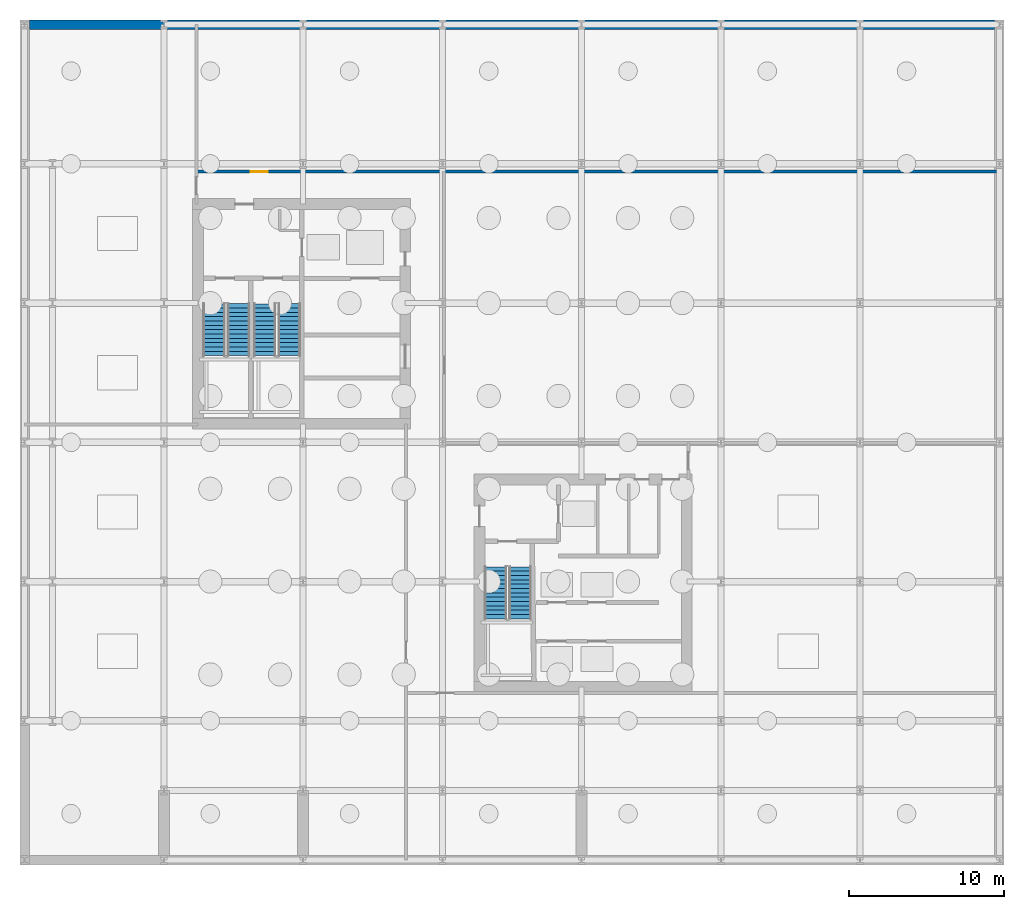
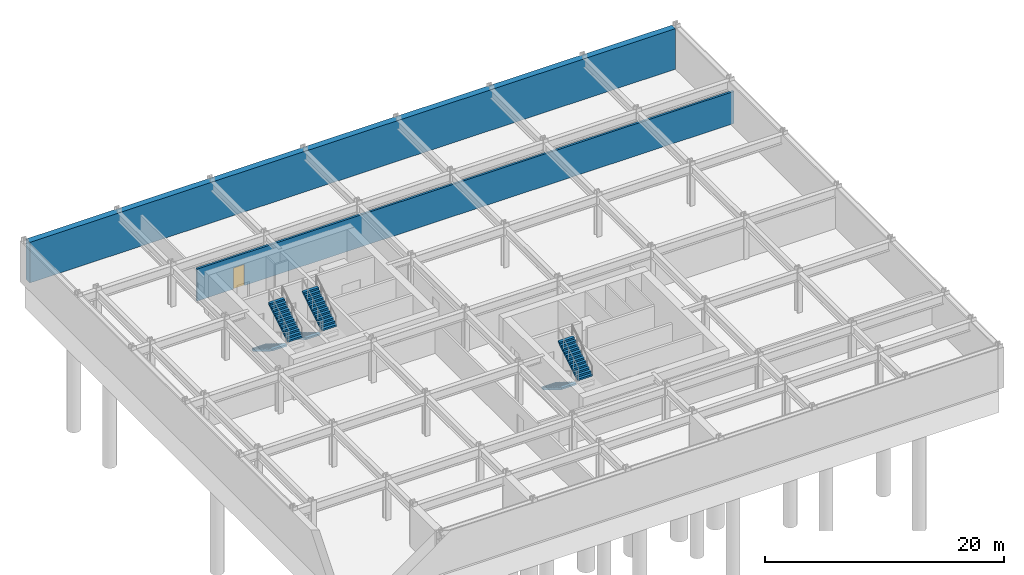
# One storey, part 5 of 7: 6 stair flights, 2 walls, 1 door, 1 opening, 3 elements without a shape of their own.
"""IFC4 building model written with IfcOpenShell, lengths in metres."""

from ifc_helpers import new_model, si_unit, direction, frame, frame_2d, origin, place, context, subcontext, project, spatial, polyline, rectangle, outline, extrude, material, layer, layer_set, type_object, element, fill, aggregate, save


model = new_model("IFC4")

# Units and contexts
model_context = context("Model", 3, precision=1e-05, world=origin(), true_north=direction((0.0, 1.0)))
body_context = subcontext(model_context, "Body", "Model", "MODEL_VIEW")
ifc_project = project(units=[si_unit("LENGTHUNIT", "METRE"), si_unit("AREAUNIT", "SQUARE_METRE"), si_unit("VOLUMEUNIT", "CUBIC_METRE"), si_unit("PLANEANGLEUNIT", "RADIAN"), si_unit("MASSUNIT", "GRAM", prefix="KILO")], contexts=[model_context])

# Site, building, storey
site_placement = place(None, origin())
site = spatial("IfcSite", under=ifc_project, at=site_placement, CompositionType="ELEMENT")
building_placement = place(site_placement, origin())
building = spatial("IfcBuilding", under=site, at=building_placement, Name="Solvaryn Broadcast Tower", CompositionType="ELEMENT")
storey_placement = place(building_placement, frame((0.0, 0.0, -9.0)))
storey = spatial("IfcBuildingStorey", under=building, at=storey_placement, Name="B02", CompositionType="ELEMENT", Elevation=-9.0)

# Wall
ifc_material_1 = material(Name="Concrete f'c 60 MPa", Category="concrete")
ifc_layer_1 = layer(ifc_material_1, 0.60009765625)
ifc_layer_set_1 = layer_set([ifc_layer_1], Name="EW-BSMT-600")
wall_type_1 = type_object("IfcWallType", Name="EW-BSMT-600", PredefinedType="SOLIDWALL", material=ifc_layer_set_1)
wall_1_placement = place(storey_placement, frame((0.300048828125, 54.0, 0.0), z_axis=(0.0, 0.0, 1.0), x_axis=(1.0, 0.0, 0.0)))
element("IfcWall", 1, at=wall_1_placement, inside=storey, type_object=wall_type_1, Name="B02 Perimeter Retaining Wall N", PredefinedType="SOLIDWALL", context=body_context, shape_type="SweptSolid", body=[
    extrude(rectangle(XDim=62.39990234375, YDim=0.60009765625, at=frame_2d((31.199951171875, 0.0))), origin(), (0.0, 0.0, 1.0), 4.14990234375),
])

# Wall, opening, door
ifc_material_2 = material(Name="Gypsum Fire-Rated Shaftwall Assembly", Category="concrete")
ifc_layer_2 = layer(ifc_material_2, 0.199951171875)
ifc_layer_set_2 = layer_set([ifc_layer_2], Name="IW-RATED-200")
wall_type_2 = type_object("IfcWallType", Name="IW-RATED-200", PredefinedType="PARTITIONING", material=ifc_layer_set_2)
wall_2_placement = place(storey_placement, frame((11.10009765625, 44.5, 0.0), z_axis=(0.0, 0.0, 1.0), x_axis=(1.0, 0.0, 0.0)))
wall_2 = element("IfcWall", 2, at=wall_2_placement, inside=storey, type_object=wall_type_2, Name="B02 Interior Partition IW-B02-BW4", PredefinedType="PARTITIONING", context=body_context, shape_type="SweptSolid", body=[
    extrude(rectangle(XDim=51.89990234375, YDim=0.199951171875, at=frame_2d((25.949951171875, 0.0))), origin(), (0.0, 0.0, 1.0), 3.27490234375),
])
opening_placement = place(wall_2_placement, frame((3.5, 0.0, 0.0)))
opening = element("IfcOpeningElement", 3, at=opening_placement, cuts=wall_2, Name="Opening FD90C", PredefinedType="OPENING", context=body_context, shape_type="SweptSolid", body=[
    extrude(rectangle(XDim=1.10009765625, YDim=2.14990234375, at=frame_2d((0.550048828125, 1.074951171875))), frame((0.0, 0.110107421875, 0.0), z_axis=(0.0, -1.0, 0.0), x_axis=(1.0, 0.0, 0.0)), (0.0, 0.0, 1.0), 0.219970703125),
])
ifc_material_3 = material(Name="Flush Acoustic Steel and Timber Door Assembly", Category="steel")
door_type = type_object("IfcDoorType", Name="FD90-PLANT-1100X2150", OperationType="NOTDEFINED", PredefinedType="DOOR", material=ifc_material_3)
door_placement = place(opening_placement, origin())
door = element("IfcDoor", 4, at=door_placement, inside=storey, type_object=door_type, Name="B02 Door DR-B02-BD5", OperationType="SINGLE_SWING_RIGHT", OverallHeight=2.14990234375, OverallWidth=1.10009765625, PredefinedType="DOOR", context=body_context, shape_type="SweptSolid", body=[
    extrude(rectangle(XDim=1.10009765625, YDim=2.14990234375, at=frame_2d((0.550048828125, 1.074951171875))), frame((0.0, 0.02490234375, 0.0), z_axis=(0.0, -1.0, 0.0), x_axis=(1.0, 0.0, 0.0)), (0.0, 0.0, 1.0), 0.050048828125),
])
fill(opening, door)

# Stair, stair flights
ifc_material_4 = material(Name="Concrete f'c 60 MPa", Category="concrete")
stair_type = type_object("IfcStairType", Name="ST-CORE", PredefinedType="HALF_TURN_STAIR", material=ifc_material_4)
stair_1_placement = place(storey_placement, origin())
stair_1 = element("IfcStair", 5, at=stair_1_placement, inside=storey, type_object=stair_type, Name="B02 ST1", PredefinedType="HALF_TURN_STAIR")
ifc_material_5 = material(Name="Concrete f'c 60 MPa", Category="concrete")
ifc_layer_3 = layer(ifc_material_5, 0.159912109375)
ifc_layer_set_3 = layer_set([ifc_layer_3], Name="SF-CORE")
stair_flight_type = type_object("IfcStairFlightType", Name="SF-CORE", PredefinedType="STRAIGHT", material=ifc_layer_set_3)
stair_flight_1_placement = place(storey_placement, frame((12.239990234375, 35.9599609375, 0.0), z_axis=(0.0, 0.0, 1.0), x_axis=(0.0, -1.0, 0.0)))
stair_flight_1 = element("IfcStairFlight", 6, at=stair_flight_1_placement, type_object=stair_flight_type, Name="ST1 flight 1", NumberOfRisers=13, NumberOfTreads=12, PredefinedType="STRAIGHT", RiserHeight=0.173076923, TreadLength=0.28, context=body_context, shape_type="SweptSolid", body=[
    extrude(outline(polyline([(0.0, 0.0), (0.0, 0.173095703125), (0.280029296875, 0.173095703125), (0.280029296875, 0.34619140625), (0.56005859375, 0.34619140625), (0.56005859375, 0.519287109375), (0.840087890625, 0.519287109375), (0.840087890625, 0.6923828125), (1.1201171875, 0.6923828125), (1.1201171875, 0.865478515625), (1.39990234375, 0.865478515625), (1.39990234375, 1.03857421875), (1.679931640625, 1.03857421875), (1.679931640625, 1.21142578125), (1.9599609375, 1.21142578125), (1.9599609375, 1.384521484375), (2.239990234375, 1.384521484375), (2.239990234375, 1.5576171875), (2.52001953125, 1.5576171875), (2.52001953125, 1.730712890625), (2.800048828125, 1.730712890625), (2.800048828125, 1.90380859375), (3.080078125, 1.90380859375), (3.080078125, 2.076904296875), (3.360107421875, 2.076904296875), (3.360107421875, 2.25), (3.360107421875, 1.900634765625), (0.28515625, 0.0), (0.0, 0.0)])), frame((0.0, 0.719970703125, 0.0), z_axis=(0.0, -1.0, 0.0), x_axis=(1.0, 0.0, 0.0)), (0.0, 0.0, 1.0), 1.43994140625),
])
stair_flight_2_placement = place(storey_placement, frame((13.830078125, 32.60009765625, 2.25), z_axis=(0.0, 0.0, 1.0), x_axis=(0.0, 1.0, 0.0)))
stair_flight_2 = element("IfcStairFlight", 7, at=stair_flight_2_placement, type_object=stair_flight_type, Name="ST1 flight 2", NumberOfRisers=13, NumberOfTreads=12, PredefinedType="STRAIGHT", RiserHeight=0.173076923, TreadLength=0.28, context=body_context, shape_type="SweptSolid", body=[
    extrude(outline(polyline([(0.0, 0.0), (0.0, 0.173095703125), (0.280029296875, 0.173095703125), (0.280029296875, 0.34619140625), (0.56005859375, 0.34619140625), (0.56005859375, 0.519287109375), (0.840087890625, 0.519287109375), (0.840087890625, 0.6923828125), (1.1201171875, 0.6923828125), (1.1201171875, 0.865478515625), (1.39990234375, 0.865478515625), (1.39990234375, 1.03857421875), (1.679931640625, 1.03857421875), (1.679931640625, 1.21142578125), (1.9599609375, 1.21142578125), (1.9599609375, 1.384521484375), (2.239990234375, 1.384521484375), (2.239990234375, 1.5576171875), (2.52001953125, 1.5576171875), (2.52001953125, 1.730712890625), (2.800048828125, 1.730712890625), (2.800048828125, 1.90380859375), (3.080078125, 1.90380859375), (3.080078125, 2.076904296875), (3.360107421875, 2.076904296875), (3.360107421875, 2.25), (3.360107421875, 1.900634765625), (0.28515625, 0.0), (0.0, 0.0)])), frame((0.0, 0.719970703125, 0.0), z_axis=(0.0, -1.0, 0.0), x_axis=(1.0, 0.0, 0.0)), (0.0, 0.0, 1.0), 1.43994140625),
])
aggregate(stair_1, [stair_flight_1, stair_flight_2])

stair_2_placement = place(storey_placement, origin())
stair_2 = element("IfcStair", 8, at=stair_2_placement, inside=storey, type_object=stair_type, Name="B02 ST2", PredefinedType="HALF_TURN_STAIR")
stair_flight_3_placement = place(storey_placement, frame((15.52001953125, 35.9599609375, 0.0), z_axis=(0.0, 0.0, 1.0), x_axis=(0.0, -1.0, 0.0)))
stair_flight_3 = element("IfcStairFlight", 9, at=stair_flight_3_placement, type_object=stair_flight_type, Name="ST2 flight 1", NumberOfRisers=13, NumberOfTreads=12, PredefinedType="STRAIGHT", RiserHeight=0.173076923, TreadLength=0.28, context=body_context, shape_type="SweptSolid", body=[
    extrude(outline(polyline([(0.0, 0.0), (0.0, 0.173095703125), (0.280029296875, 0.173095703125), (0.280029296875, 0.34619140625), (0.56005859375, 0.34619140625), (0.56005859375, 0.519287109375), (0.840087890625, 0.519287109375), (0.840087890625, 0.6923828125), (1.1201171875, 0.6923828125), (1.1201171875, 0.865478515625), (1.39990234375, 0.865478515625), (1.39990234375, 1.03857421875), (1.679931640625, 1.03857421875), (1.679931640625, 1.21142578125), (1.9599609375, 1.21142578125), (1.9599609375, 1.384521484375), (2.239990234375, 1.384521484375), (2.239990234375, 1.5576171875), (2.52001953125, 1.5576171875), (2.52001953125, 1.730712890625), (2.800048828125, 1.730712890625), (2.800048828125, 1.90380859375), (3.080078125, 1.90380859375), (3.080078125, 2.076904296875), (3.360107421875, 2.076904296875), (3.360107421875, 2.25), (3.360107421875, 1.900634765625), (0.28515625, 0.0), (0.0, 0.0)])), frame((0.0, 0.719970703125, 0.0), z_axis=(0.0, -1.0, 0.0), x_axis=(1.0, 0.0, 0.0)), (0.0, 0.0, 1.0), 1.43994140625),
])
stair_flight_4_placement = place(storey_placement, frame((17.110107421875, 32.60009765625, 2.25), z_axis=(0.0, 0.0, 1.0), x_axis=(0.0, 1.0, 0.0)))
stair_flight_4 = element("IfcStairFlight", 10, at=stair_flight_4_placement, type_object=stair_flight_type, Name="ST2 flight 2", NumberOfRisers=13, NumberOfTreads=12, PredefinedType="STRAIGHT", RiserHeight=0.173076923, TreadLength=0.28, context=body_context, shape_type="SweptSolid", body=[
    extrude(outline(polyline([(0.0, 0.0), (0.0, 0.173095703125), (0.280029296875, 0.173095703125), (0.280029296875, 0.34619140625), (0.56005859375, 0.34619140625), (0.56005859375, 0.519287109375), (0.840087890625, 0.519287109375), (0.840087890625, 0.6923828125), (1.1201171875, 0.6923828125), (1.1201171875, 0.865478515625), (1.39990234375, 0.865478515625), (1.39990234375, 1.03857421875), (1.679931640625, 1.03857421875), (1.679931640625, 1.21142578125), (1.9599609375, 1.21142578125), (1.9599609375, 1.384521484375), (2.239990234375, 1.384521484375), (2.239990234375, 1.5576171875), (2.52001953125, 1.5576171875), (2.52001953125, 1.730712890625), (2.800048828125, 1.730712890625), (2.800048828125, 1.90380859375), (3.080078125, 1.90380859375), (3.080078125, 2.076904296875), (3.360107421875, 2.076904296875), (3.360107421875, 2.25), (3.360107421875, 1.900634765625), (0.28515625, 0.0), (0.0, 0.0)])), frame((0.0, 0.719970703125, 0.0), z_axis=(0.0, -1.0, 0.0), x_axis=(1.0, 0.0, 0.0)), (0.0, 0.0, 1.0), 1.43994140625),
])
aggregate(stair_2, [stair_flight_3, stair_flight_4])

stair_3_placement = place(storey_placement, origin())
stair_3 = element("IfcStair", 11, at=stair_3_placement, inside=storey, type_object=stair_type, Name="B02 ST3", PredefinedType="HALF_TURN_STAIR")
stair_flight_5_placement = place(storey_placement, frame((30.43994140625, 18.9599609375, 0.0), z_axis=(0.0, 0.0, 1.0), x_axis=(0.0, -1.0, 0.0)))
stair_flight_5 = element("IfcStairFlight", 12, at=stair_flight_5_placement, type_object=stair_flight_type, Name="ST3 flight 1", NumberOfRisers=13, NumberOfTreads=12, PredefinedType="STRAIGHT", RiserHeight=0.173076923, TreadLength=0.28, context=body_context, shape_type="SweptSolid", body=[
    extrude(outline(polyline([(0.0, 0.0), (0.0, 0.173095703125), (0.280029296875, 0.173095703125), (0.280029296875, 0.34619140625), (0.56005859375, 0.34619140625), (0.56005859375, 0.519287109375), (0.840087890625, 0.519287109375), (0.840087890625, 0.6923828125), (1.1201171875, 0.6923828125), (1.1201171875, 0.865478515625), (1.39990234375, 0.865478515625), (1.39990234375, 1.03857421875), (1.679931640625, 1.03857421875), (1.679931640625, 1.21142578125), (1.9599609375, 1.21142578125), (1.9599609375, 1.384521484375), (2.239990234375, 1.384521484375), (2.239990234375, 1.5576171875), (2.52001953125, 1.5576171875), (2.52001953125, 1.730712890625), (2.800048828125, 1.730712890625), (2.800048828125, 1.90380859375), (3.080078125, 1.90380859375), (3.080078125, 2.076904296875), (3.360107421875, 2.076904296875), (3.360107421875, 2.25), (3.360107421875, 1.900634765625), (0.28515625, 0.0), (0.0, 0.0)])), frame((0.0, 0.719970703125, 0.0), z_axis=(0.0, -1.0, 0.0), x_axis=(1.0, 0.0, 0.0)), (0.0, 0.0, 1.0), 1.43994140625),
])
stair_flight_6_placement = place(storey_placement, frame((32.030029296875, 15.60009765625, 2.25), z_axis=(0.0, 0.0, 1.0), x_axis=(0.0, 1.0, 0.0)))
stair_flight_6 = element("IfcStairFlight", 13, at=stair_flight_6_placement, type_object=stair_flight_type, Name="ST3 flight 2", NumberOfRisers=13, NumberOfTreads=12, PredefinedType="STRAIGHT", RiserHeight=0.173076923, TreadLength=0.28, context=body_context, shape_type="SweptSolid", body=[
    extrude(outline(polyline([(0.0, 0.0), (0.0, 0.173095703125), (0.280029296875, 0.173095703125), (0.280029296875, 0.34619140625), (0.56005859375, 0.34619140625), (0.56005859375, 0.519287109375), (0.840087890625, 0.519287109375), (0.840087890625, 0.6923828125), (1.1201171875, 0.6923828125), (1.1201171875, 0.865478515625), (1.39990234375, 0.865478515625), (1.39990234375, 1.03857421875), (1.679931640625, 1.03857421875), (1.679931640625, 1.21142578125), (1.9599609375, 1.21142578125), (1.9599609375, 1.384521484375), (2.239990234375, 1.384521484375), (2.239990234375, 1.5576171875), (2.52001953125, 1.5576171875), (2.52001953125, 1.730712890625), (2.800048828125, 1.730712890625), (2.800048828125, 1.90380859375), (3.080078125, 1.90380859375), (3.080078125, 2.076904296875), (3.360107421875, 2.076904296875), (3.360107421875, 2.25), (3.360107421875, 1.900634765625), (0.28515625, 0.0), (0.0, 0.0)])), frame((0.0, 0.719970703125, 0.0), z_axis=(0.0, -1.0, 0.0), x_axis=(1.0, 0.0, 0.0)), (0.0, 0.0, 1.0), 1.43994140625),
])
aggregate(stair_3, [stair_flight_5, stair_flight_6])

save(model, "model.ifc")
